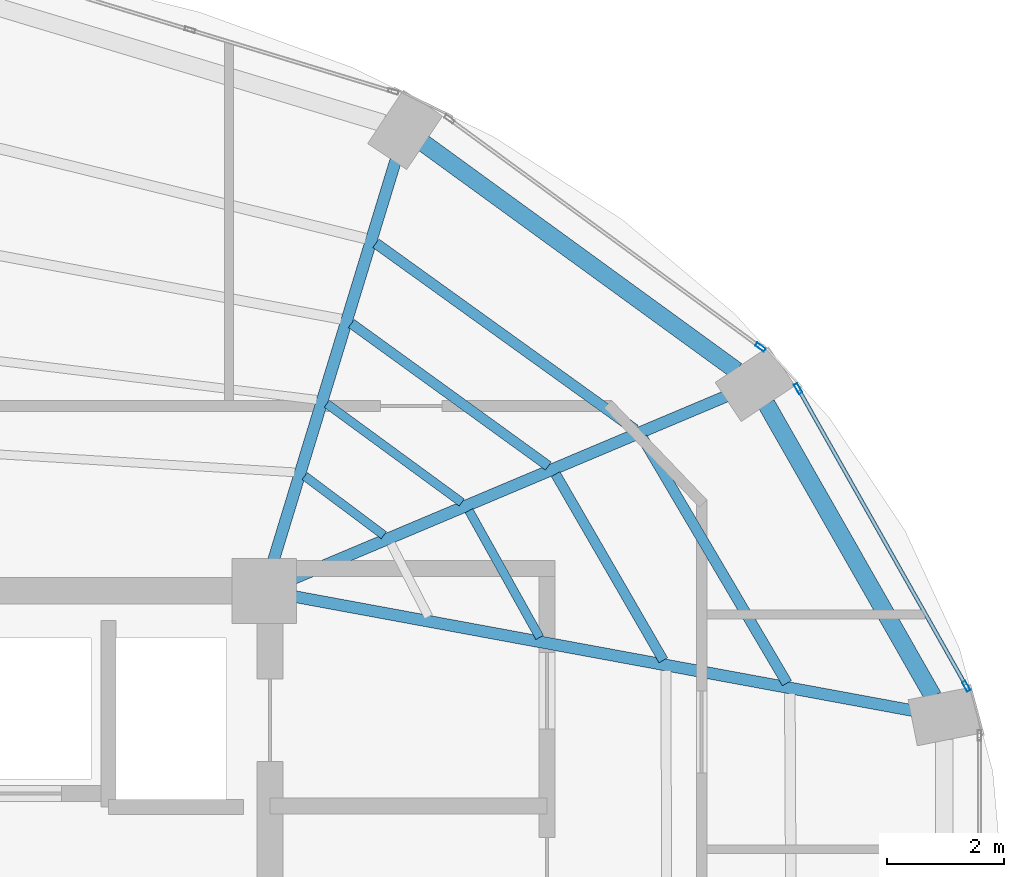
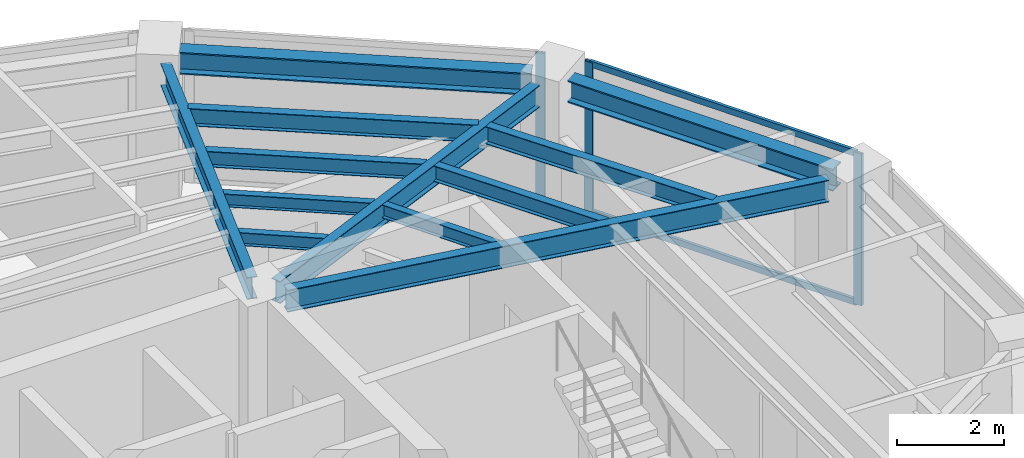
# One storey, part 15 of 23: 12 beams, 5 members, 2 elements without a shape of their own.
"""IFC4 building model written with IfcOpenShell, lengths in metres."""

from ifc_helpers import new_model, si_unit, direction, frame, origin, origin_2d, place, context, subcontext, project, spatial, hollow_rectangle, i_section, extrude, material, layer, layer_set, material_profile, profile_set, type_object, element, aggregate, save


model = new_model("IFC4")

# Units and contexts
model_context = context("Model", 3, precision=1e-05, world=origin(), true_north=direction((0.0, 1.0)))
body_context = subcontext(model_context, "Body", "Model", "MODEL_VIEW")
ifc_project = project(units=[si_unit("LENGTHUNIT", "METRE"), si_unit("AREAUNIT", "SQUARE_METRE"), si_unit("VOLUMEUNIT", "CUBIC_METRE"), si_unit("PLANEANGLEUNIT", "RADIAN"), si_unit("MASSUNIT", "GRAM", prefix="KILO")], contexts=[model_context])

# Site, building, storey
site_placement = place(None, origin())
site = spatial("IfcSite", under=ifc_project, at=site_placement, CompositionType="ELEMENT")
building_placement = place(site_placement, origin())
building = spatial("IfcBuilding", under=site, at=building_placement, Name="Lazwardi Medical Tower", CompositionType="ELEMENT")
storey_placement = place(building_placement, frame((0.0, 0.0, 262.320068359375)))
storey = spatial("IfcBuildingStorey", under=building, at=storey_placement, Name="L68", CompositionType="ELEMENT", Elevation=262.320068359375)

# Beams
ifc_material_1 = material(Name="Steel S355", Category="steel")
ifc_material_profile_1 = material_profile(ifc_material_1, i_section(OverallWidth=0.300048828125, OverallDepth=0.5, WebThickness=0.014404296875, FlangeThickness=0.028076171875, at=origin_2d()), Name="HEB 500")
ifc_profile_set_1 = profile_set([ifc_material_profile_1], Name="Steel S355")
beam_type_1 = type_object("IfcBeamType", Name="BM-RB-Z4", PredefinedType="BEAM", material=ifc_profile_set_1)
beam_1_placement = place(storey_placement, frame((56.991943359375, 33.8017578125, 3.197998046875), z_axis=(-0.495125273299, 0.868821594886, 0.0), x_axis=(-0.868821594886, -0.495125273299, 0.0)))
element("IfcBeam", 1, at=beam_1_placement, inside=storey, type_object=beam_type_1, Name="Ring beam RB-05 B05 L68", PredefinedType="BEAM", context=body_context, shape_type="SweptSolid", body=[
    extrude(i_section(OverallWidth=0.300048828125, OverallDepth=0.5, WebThickness=0.014404296875, FlangeThickness=0.028076171875, at=origin_2d()), origin(), (0.0, 0.0, 1.0), 5.734130859375),
])
beam_2_placement = place(storey_placement, frame((53.644287109375, 39.351806640625, 3.197998046875), z_axis=(-0.808889916254, 0.587960120571, 0.0), x_axis=(-0.587960120571, -0.808889916254, 0.0)))
element("IfcBeam", 2, at=beam_2_placement, inside=storey, type_object=beam_type_1, Name="Ring beam RB-05 B06 L68", PredefinedType="BEAM", context=body_context, shape_type="SweptSolid", body=[
    extrude(i_section(OverallWidth=0.300048828125, OverallDepth=0.5, WebThickness=0.014404296875, FlangeThickness=0.028076171875, at=origin_2d()), origin(), (0.0, 0.0, 1.0), 6.587158203125),
])
ifc_material_profile_2 = material_profile(ifc_material_1, i_section(OverallWidth=0.199951171875, OverallDepth=0.5, WebThickness=0.01025390625, FlangeThickness=0.01611328125, at=origin_2d()), Name="IPE 500")
ifc_profile_set_2 = profile_set([ifc_material_profile_2], Name="Steel S355")
beam_type_2 = type_object("IfcBeamType", Name="BM-RG-W3", PredefinedType="BEAM", material=ifc_profile_set_2)
beam_3_placement = place(storey_placement, frame((56.658935546875, 33.56005859375, 3.197998046875), z_axis=(-0.983409341459, 0.181400295288, 0.0), x_axis=(-0.181400295288, -0.983409341459, 0.0)))
element("IfcBeam", 3, at=beam_3_placement, inside=storey, type_object=beam_type_2, Name="Radial girder RG-04 R05 L68", PredefinedType="BEAM", context=body_context, shape_type="SweptSolid", body=[
    extrude(i_section(OverallWidth=0.199951171875, OverallDepth=0.5, WebThickness=0.01025390625, FlangeThickness=0.01611328125, at=origin_2d()), origin(), (0.0, 0.0, 1.0), 10.71044921875),
])
beam_4_placement = place(storey_placement, frame((53.466796875, 38.914794921875, 3.197998046875), z_axis=(-0.921526791352, -0.388314785735, 0.0), x_axis=(0.388314785735, -0.921526791352, 0.0)))
element("IfcBeam", 4, at=beam_4_placement, inside=storey, type_object=beam_type_2, Name="Radial girder RG-04 R06 L68", PredefinedType="BEAM", context=body_context, shape_type="SweptSolid", body=[
    extrude(i_section(OverallWidth=0.199951171875, OverallDepth=0.5, WebThickness=0.01025390625, FlangeThickness=0.01611328125, at=origin_2d()), origin(), (0.0, 0.0, 1.0), 8.001708984375),
])
beam_5_placement = place(storey_placement, frame((47.843994140625, 42.9423828125, 3.197998046875), z_axis=(-0.292276716539, -0.956333791607, 0.0), x_axis=(0.956333791607, -0.292276716539, 0.0)))
element("IfcBeam", 5, at=beam_5_placement, inside=storey, type_object=beam_type_2, Name="Radial girder RG-04 R07 L68", PredefinedType="BEAM", context=body_context, shape_type="SweptSolid", body=[
    extrude(i_section(OverallWidth=0.199951171875, OverallDepth=0.5, WebThickness=0.01025390625, FlangeThickness=0.01611328125, at=origin_2d()), origin(), (0.0, 0.0, 1.0), 7.142822265625),
])
ifc_material_profile_3 = material_profile(ifc_material_1, i_section(OverallWidth=0.179931640625, OverallDepth=0.39990234375, WebThickness=0.008544921875, FlangeThickness=0.013427734375, at=origin_2d()), Name="IPE 400")
ifc_profile_set_3 = profile_set([ifc_material_profile_3], Name="Steel S355")
beam_type_3 = type_object("IfcBeamType", Name="BM-SJ-01", PredefinedType="JOIST", material=ifc_profile_set_3)
beam_6_placement = place(storey_placement, frame((54.504150390625, 34.030517578125, 3.248046875), z_axis=(-0.507710311367, 0.861527851977, 0.0), x_axis=(-0.861527851977, -0.507710311367, 0.0)))
element("IfcBeam", 6, at=beam_6_placement, inside=storey, type_object=beam_type_3, Name="Secondary joist SJ-01 R1 B05 L68", PredefinedType="JOIST", context=body_context, shape_type="SweptSolid", body=[
    extrude(i_section(OverallWidth=0.179931640625, OverallDepth=0.39990234375, WebThickness=0.008544921875, FlangeThickness=0.013427734375, at=origin_2d()), origin(), (0.0, 0.0, 1.0), 4.852783203125),
])
beam_7_placement = place(storey_placement, frame((51.914794921875, 38.348876953125, 3.248046875), z_axis=(-0.811889581337, 0.58381102055, 0.0), x_axis=(-0.58381102055, -0.811889581337, 0.0)))
element("IfcBeam", 7, at=beam_7_placement, inside=storey, type_object=beam_type_3, Name="Secondary joist SJ-01 R1 B06 L68", PredefinedType="JOIST", context=body_context, shape_type="SweptSolid", body=[
    extrude(i_section(OverallWidth=0.179931640625, OverallDepth=0.39990234375, WebThickness=0.008544921875, FlangeThickness=0.013427734375, at=origin_2d()), origin(), (0.0, 0.0, 1.0), 5.433349609375),
])
ifc_material_profile_4 = material_profile(ifc_material_1, i_section(OverallWidth=0.169921875, OverallDepth=0.360107421875, WebThickness=0.008056640625, FlangeThickness=0.0126953125, at=origin_2d()), Name="IPE 360")
ifc_profile_set_4 = profile_set([ifc_material_profile_4], Name="Steel S355")
beam_type_4 = type_object("IfcBeamType", Name="BM-SJ-02", PredefinedType="JOIST", material=ifc_profile_set_4)
beam_8_placement = place(storey_placement, frame((52.398193359375, 34.41943359375, 3.267822265625), z_axis=(-0.500655179543, 0.865646805109, 0.0), x_axis=(-0.865646805109, -0.500655179543, 0.0)))
element("IfcBeam", 8, at=beam_8_placement, inside=storey, type_object=beam_type_4, Name="Secondary joist SJ-02 R2 B05 L68", PredefinedType="JOIST", context=body_context, shape_type="SweptSolid", body=[
    extrude(i_section(OverallWidth=0.169921875, OverallDepth=0.360107421875, WebThickness=0.008056640625, FlangeThickness=0.0126953125, at=origin_2d()), origin(), (0.0, 0.0, 1.0), 3.662109375),
])
beam_9_placement = place(storey_placement, frame((50.440185546875, 37.7275390625, 3.267822265625), z_axis=(-0.810164229155, 0.586202969796, 0.0), x_axis=(-0.586202969796, -0.810164229155, 0.0)))
element("IfcBeam", 9, at=beam_9_placement, inside=storey, type_object=beam_type_4, Name="Secondary joist SJ-02 R2 B06 L68", PredefinedType="JOIST", context=body_context, shape_type="SweptSolid", body=[
    extrude(i_section(OverallWidth=0.169921875, OverallDepth=0.360107421875, WebThickness=0.008056640625, FlangeThickness=0.0126953125, at=origin_2d()), origin(), (0.0, 0.0, 1.0), 4.14013671875),
])
ifc_material_profile_5 = material_profile(ifc_material_1, i_section(OverallWidth=0.14990234375, OverallDepth=0.300048828125, WebThickness=0.007080078125, FlangeThickness=0.0107421875, at=origin_2d()), Name="IPE 300")
ifc_profile_set_5 = profile_set([ifc_material_profile_5], Name="Steel S355")
beam_type_5 = type_object("IfcBeamType", Name="BM-SJ-03", PredefinedType="JOIST", material=ifc_profile_set_5)
beam_10_placement = place(storey_placement, frame((50.29296875, 34.80859375, 3.2978515625), z_axis=(-0.487092942089, 0.873350139272, 0.0), x_axis=(-0.873350139272, -0.487092942089, 0.0)))
element("IfcBeam", 10, at=beam_10_placement, inside=storey, type_object=beam_type_5, Name="Secondary joist SJ-03 R3 B05 L68", PredefinedType="JOIST", context=body_context, shape_type="SweptSolid", body=[
    extrude(i_section(OverallWidth=0.14990234375, OverallDepth=0.300048828125, WebThickness=0.007080078125, FlangeThickness=0.0107421875, at=origin_2d()), origin(), (0.0, 0.0, 1.0), 2.471923828125),
])
beam_11_placement = place(storey_placement, frame((48.9658203125, 37.106689453125, 3.2978515625), z_axis=(-0.80703431267, 0.59050454543, 0.0), x_axis=(-0.59050454543, -0.80703431267, 0.0)))
element("IfcBeam", 11, at=beam_11_placement, inside=storey, type_object=beam_type_5, Name="Secondary joist SJ-03 R3 B06 L68", PredefinedType="JOIST", context=body_context, shape_type="SweptSolid", body=[
    extrude(i_section(OverallWidth=0.14990234375, OverallDepth=0.300048828125, WebThickness=0.007080078125, FlangeThickness=0.0107421875, at=origin_2d()), origin(), (0.0, 0.0, 1.0), 2.846923828125),
])
beam_12_placement = place(storey_placement, frame((47.63916015625, 36.548095703125, 3.2978515625), z_axis=(-0.800365301971, 0.599512621553, 0.0), x_axis=(-0.599512621553, -0.800365301971, 0.0)))
element("IfcBeam", 12, at=beam_12_placement, inside=storey, type_object=beam_type_5, Name="Secondary joist SJ-03 R4 B06 L68", PredefinedType="JOIST", context=body_context, shape_type="SweptSolid", body=[
    extrude(i_section(OverallWidth=0.14990234375, OverallDepth=0.300048828125, WebThickness=0.007080078125, FlangeThickness=0.0107421875, at=origin_2d()), origin(), (0.0, 0.0, 1.0), 1.68359375),
])

# Curtain wall, members
ifc_material_2 = material(Name="Anodised bronze aluminium and solar control glazing", Category="aluminium")
ifc_layer = layer(ifc_material_2, 0.18994140625)
ifc_layer_set = layer_set([ifc_layer], Name="Anodised bronze aluminium and solar control glazing")
curtain_wall_type = type_object("IfcCurtainWallType", Name="CW-SYS-04", PredefinedType="NOTDEFINED", material=ifc_layer_set)
curtain_wall_1_placement = place(storey_placement, origin())
curtain_wall_1 = element("IfcCurtainWall", 13, at=curtain_wall_1_placement, inside=storey, type_object=curtain_wall_type, Name="L68 Unitised bronze curtain wall CW-04", PredefinedType="NOTDEFINED")
ifc_material_3 = material(Name="Anodised bronze aluminium", Category="aluminium")
ifc_material_profile_6 = material_profile(ifc_material_3, hollow_rectangle(XDim=0.06494140625, YDim=0.179931640625, WallThickness=0.00390625, at=origin_2d()), Name="ALU-MULLION 180x65x4")
ifc_profile_set_6 = profile_set([ifc_material_profile_6], Name="Anodised bronze aluminium")
member_type_1 = type_object("IfcMemberType", Name="CW-MUL-03", PredefinedType="MULLION", material=ifc_profile_set_6)
member_1_placement = place(storey_placement, frame((57.557373046875, 33.978271484375, 0.0), z_axis=(0.0, 0.0, 1.0), x_axis=(-0.870651436011, -0.491900474661, 0.0)))
member_1 = element("IfcMember", 14, at=member_1_placement, type_object=member_type_1, Name="CW-04 mullion 1", PredefinedType="MULLION", context=body_context, shape_type="SweptSolid", body=[
    extrude(hollow_rectangle(XDim=0.06494140625, YDim=0.179931640625, WallThickness=0.00390625, at=origin_2d()), origin(), (0.0, 0.0, 1.0), 3.447998046875),
])
member_2_placement = place(storey_placement, frame((54.6943359375, 39.04541015625, 0.0), z_axis=(0.0, 0.0, 1.0), x_axis=(-0.870651436011, -0.491900474661, 0.0)))
member_2 = element("IfcMember", 15, at=member_2_placement, type_object=member_type_1, Name="CW-04 mullion 2", PredefinedType="MULLION", context=body_context, shape_type="SweptSolid", body=[
    extrude(hollow_rectangle(XDim=0.06494140625, YDim=0.179931640625, WallThickness=0.00390625, at=origin_2d()), origin(), (0.0, 0.0, 1.0), 3.447998046875),
])

# Curtain wall, member
curtain_wall_2_placement = place(storey_placement, origin())
curtain_wall_2 = element("IfcCurtainWall", 16, at=curtain_wall_2_placement, inside=storey, type_object=curtain_wall_type, Name="L68 Unitised bronze curtain wall CW-04", PredefinedType="NOTDEFINED")
member_3_placement = place(storey_placement, frame((54.052001953125, 39.751708984375, 0.0), z_axis=(0.0, 0.0, 1.0), x_axis=(-0.591268230971, -0.806474971121, 0.0)))
member_3 = element("IfcMember", 17, at=member_3_placement, type_object=member_type_1, Name="CW-04 mullion 1", PredefinedType="MULLION", context=body_context, shape_type="SweptSolid", body=[
    extrude(hollow_rectangle(XDim=0.06494140625, YDim=0.179931640625, WallThickness=0.00390625, at=origin_2d()), origin(), (0.0, 0.0, 1.0), 3.447998046875),
])
aggregate(curtain_wall_2, [member_3])

# Member
ifc_material_profile_7 = material_profile(ifc_material_3, hollow_rectangle(XDim=0.06494140625, YDim=0.139892578125, WallThickness=0.00341796875, at=origin_2d()), Name="ALU-TRANSOM 140x65x3.5")
ifc_profile_set_7 = profile_set([ifc_material_profile_7], Name="Anodised bronze aluminium")
member_type_2 = type_object("IfcMemberType", Name="CW-TRN-03", PredefinedType="USERDEFINED", material=ifc_profile_set_7)
member_4_placement = place(storey_placement, frame((57.541259765625, 34.006591796875, 0.032470703125), z_axis=(-0.491897887635, 0.870652897623, 0.0), x_axis=(-0.870652897623, -0.491897887635, 0.0)))
member_4 = element("IfcMember", 18, at=member_4_placement, type_object=member_type_2, Name="CW-04 transom 1.1", ObjectType="TRANSOM", PredefinedType="USERDEFINED", context=body_context, shape_type="SweptSolid", body=[
    extrude(hollow_rectangle(XDim=0.06494140625, YDim=0.139892578125, WallThickness=0.00341796875, at=origin_2d()), origin(), (0.0, 0.0, 1.0), 5.7548828125),
])

member_5_placement = place(storey_placement, frame((57.541259765625, 34.006591796875, 3.41552734375), z_axis=(-0.491897887635, 0.870652897623, 0.0), x_axis=(-0.870652897623, -0.491897887635, 0.0)))
member_5 = element("IfcMember", 19, at=member_5_placement, type_object=member_type_2, Name="CW-04 transom 1.2", ObjectType="TRANSOM", PredefinedType="USERDEFINED", context=body_context, shape_type="SweptSolid", body=[
    extrude(hollow_rectangle(XDim=0.06494140625, YDim=0.139892578125, WallThickness=0.00341796875, at=origin_2d()), origin(), (0.0, 0.0, 1.0), 5.7548828125),
])

aggregate(curtain_wall_1, [member_1, member_2, member_4, member_5])

save(model, "model.ifc")
